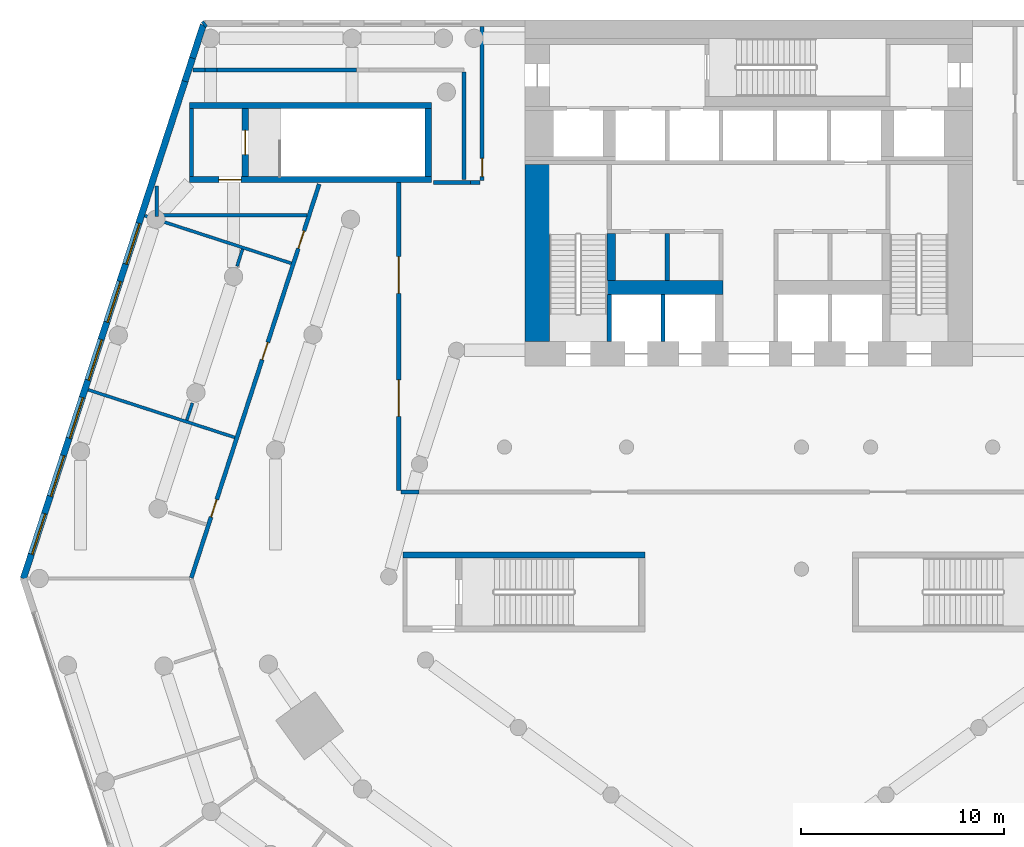
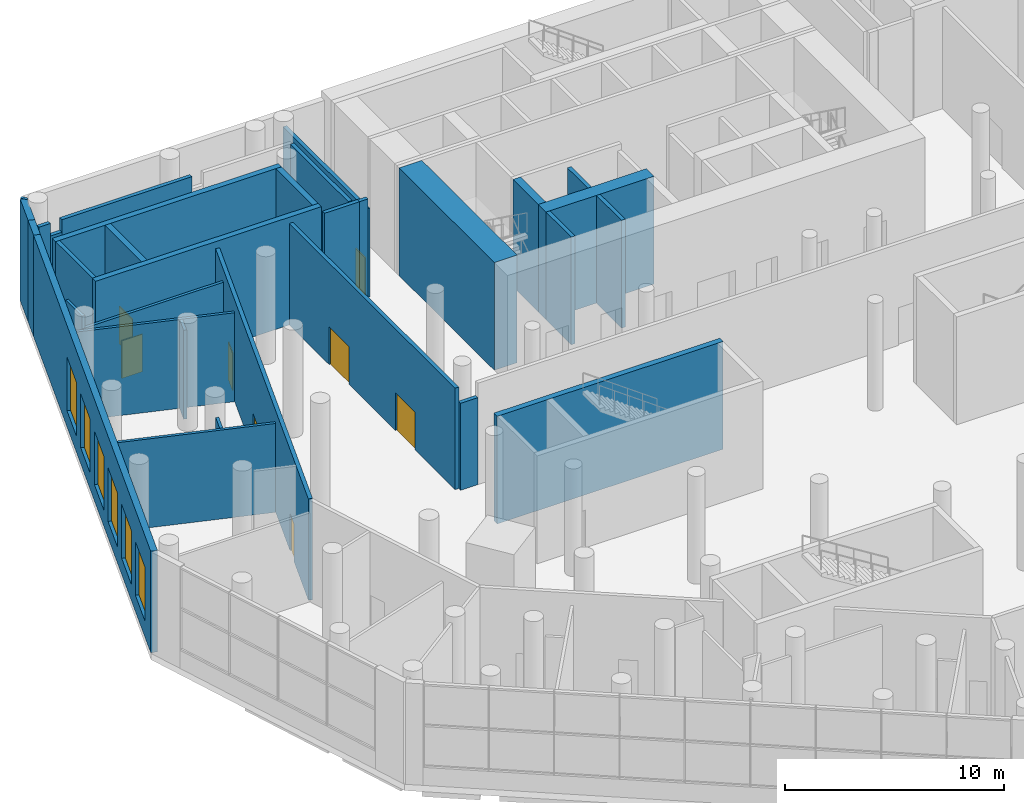
# One storey, part 12 of 19: 32 walls, 8 doors, 6 windows, 14 openings.
"""IFC4 building model written with IfcOpenShell, lengths in metres."""

from ifc_helpers import new_model, si_unit, direction, frame, frame_2d, origin, place, context, subcontext, project, spatial, rectangle, extrude, material, layer, layer_set, type_object, element, fill, save


model = new_model("IFC4")

# Units and contexts
model_context = context("Model", 3, precision=1e-05, world=origin(), true_north=direction((0.0, 1.0)))
body_context = subcontext(model_context, "Body", "Model", "MODEL_VIEW")
ifc_project = project(units=[si_unit("LENGTHUNIT", "METRE"), si_unit("AREAUNIT", "SQUARE_METRE"), si_unit("VOLUMEUNIT", "CUBIC_METRE"), si_unit("PLANEANGLEUNIT", "RADIAN"), si_unit("MASSUNIT", "GRAM", prefix="KILO")], contexts=[model_context])

# Site, building, storey
site_placement = place(None, origin())
site = spatial("IfcSite", under=ifc_project, at=site_placement, CompositionType="ELEMENT")
building_placement = place(site_placement, origin())
building = spatial("IfcBuilding", under=site, at=building_placement, Name="White Candle Pilgrim Tower", CompositionType="ELEMENT")
storey_placement = place(building_placement, frame((0.0, 0.0, 23.0)))
storey = spatial("IfcBuildingStorey", under=building, at=storey_placement, Name="L03", CompositionType="ELEMENT", Elevation=23.0)

# Walls
ifc_material_1 = material(Name="Autoclaved aerated block D500, plastered")
ifc_layer_1 = layer(ifc_material_1, 0.199951171875)
ifc_layer_set_1 = layer_set([ifc_layer_1], Name="Compartment wall 200 mm REI 240")
wall_type_1 = type_object("IfcWallType", Name="Compartment wall 200 mm REI 240", PredefinedType="PARTITIONING", material=ifc_layer_set_1)
wall_1_placement = place(storey_placement, frame((54.4990234375, 80.0, 0.0), z_axis=(0.0, 0.0, 1.0), x_axis=(1.0, 0.0, 0.0)))
element("IfcWall", 1, at=wall_1_placement, inside=storey, type_object=wall_type_1, Name="WL-L03-P012", PredefinedType="PARTITIONING", context=body_context, shape_type="SweptSolid", body=[
    extrude(rectangle(XDim=1.833984375, YDim=0.199951171875, at=frame_2d((0.9169921875, 0.0))), origin(), (0.0, 0.0, 1.0), 5.64990234375),
])
wall_2_placement = place(storey_placement, frame((53.800048828125, 64.800048828125, 0.0), z_axis=(0.0, 0.0, 1.0), x_axis=(-1.0, 0.0, 0.0)))
element("IfcWall", 2, at=wall_2_placement, inside=storey, type_object=wall_type_1, Name="WL-L03-P034b", PredefinedType="PARTITIONING", context=body_context, shape_type="SweptSolid", body=[
    extrude(rectangle(XDim=0.900146484375, YDim=0.199951171875, at=frame_2d((0.4501953125, 0.0))), origin(), (0.0, 0.0, 1.0), 4.85009765625),
])

# Wall, openings, doors
wall_3_placement = place(storey_placement, frame((52.800048828125, 64.875, 0.0), z_axis=(0.0, 0.0, 1.0), x_axis=(0.0, 1.0, 0.0)))
wall_3 = element("IfcWall", 3, at=wall_3_placement, inside=storey, type_object=wall_type_1, Name="WL-L03-P035", PredefinedType="PARTITIONING", context=body_context, shape_type="SweptSolid", body=[
    extrude(rectangle(XDim=15.125, YDim=0.199951171875, at=frame_2d((7.5625, 0.0))), origin(), (0.0, 0.0, 1.0), 5.64990234375),
])
opening_1_placement = place(wall_3_placement, frame((3.637451171875, 0.0, 0.0)))
opening_1 = element("IfcOpeningElement", 4, at=opening_1_placement, cuts=wall_3, Name="Opening L03-124", PredefinedType="OPENING", context=body_context, shape_type="SweptSolid", body=[
    extrude(rectangle(XDim=1.800048828125, YDim=2.10009765625, at=frame_2d((0.89990234375, 1.050048828125))), frame((0.0, 0.10986328125, 0.0), z_axis=(0.0, -1.0, 0.0), x_axis=(1.0, 0.0, 0.0)), (0.0, 0.0, 1.0), 0.219970703125),
])
opening_2_placement = place(wall_3_placement, frame((9.6875, 0.0, 0.0)))
opening_2 = element("IfcOpeningElement", 5, at=opening_2_placement, cuts=wall_3, Name="Opening L03-125", PredefinedType="OPENING", context=body_context, shape_type="SweptSolid", body=[
    extrude(rectangle(XDim=1.800048828125, YDim=2.10009765625, at=frame_2d((0.89990234375, 1.050048828125))), frame((0.0, 0.10986328125, 0.0), z_axis=(0.0, -1.0, 0.0), x_axis=(1.0, 0.0, 0.0)), (0.0, 0.0, 1.0), 0.219970703125),
])
ifc_material_2 = material(Name="Steel door leaf", Category="steel")
door_type_1 = type_object("IfcDoorType", Name="Compartment door 1800 x 2100 EI 60", OperationType="NOTDEFINED", PredefinedType="DOOR", material=ifc_material_2)
door_1_placement = place(opening_1_placement, origin())
door_1 = element("IfcDoor", 6, at=door_1_placement, inside=storey, type_object=door_type_1, Name="Door L03-124", OperationType="DOUBLE_DOOR_SINGLE_SWING", OverallHeight=2.10009765625, OverallWidth=1.800048828125, PredefinedType="DOOR", context=body_context, shape_type="SweptSolid", body=[
    extrude(rectangle(XDim=1.800048828125, YDim=2.10009765625, at=frame_2d((0.89990234375, 1.050048828125))), frame((0.0, 0.02490234375, 0.0), z_axis=(0.0, -1.0, 0.0), x_axis=(1.0, 0.0, 0.0)), (0.0, 0.0, 1.0), 0.050048828125),
])
fill(opening_1, door_1)
door_2_placement = place(opening_2_placement, origin())
door_2 = element("IfcDoor", 7, at=door_2_placement, inside=storey, type_object=door_type_1, Name="Door L03-125", OperationType="DOUBLE_DOOR_SINGLE_SWING", OverallHeight=2.10009765625, OverallWidth=1.800048828125, PredefinedType="DOOR", context=body_context, shape_type="SweptSolid", body=[
    extrude(rectangle(XDim=1.800048828125, YDim=2.10009765625, at=frame_2d((0.89990234375, 1.050048828125))), frame((0.0, 0.02490234375, 0.0), z_axis=(0.0, -1.0, 0.0), x_axis=(1.0, 0.0, 0.0)), (0.0, 0.0, 1.0), 0.050048828125),
])
fill(opening_2, door_2)

# Walls
wall_4_placement = place(storey_placement, frame((50.72900390625, 85.550048828125, 0.0), z_axis=(0.0, 0.0, 1.0), x_axis=(-1.0, 0.0, 0.0)))
element("IfcWall", 8, at=wall_4_placement, inside=storey, type_object=wall_type_1, Name="WL-L03-P057b", PredefinedType="PARTITIONING", context=body_context, shape_type="SweptSolid", body=[
    extrude(rectangle(XDim=6.8623046875, YDim=0.199951171875, at=frame_2d((3.43115234375, 0.0))), origin(), (0.0, 0.0, 1.0), 5.64990234375),
])
wall_5_placement = place(storey_placement, frame((43.86669921875, 85.550048828125, 0.0), z_axis=(0.0, 0.0, 1.0), x_axis=(-1.0, 0.0, 0.0)))
element("IfcWall", 9, at=wall_5_placement, inside=storey, type_object=wall_type_1, Name="WL-L03-P057c", PredefinedType="PARTITIONING", context=body_context, shape_type="SweptSolid", body=[
    extrude(rectangle(XDim=0.5966796875, YDim=0.199951171875, at=frame_2d((0.29833984375, 0.0))), origin(), (0.0, 0.0, 1.0), 4.949951171875),
])
wall_6_placement = place(storey_placement, frame((43.27001953125, 85.550048828125, 0.0), z_axis=(0.0, 0.0, 1.0), x_axis=(-1.0, 0.0, 0.0)))
element("IfcWall", 10, at=wall_6_placement, inside=storey, type_object=wall_type_1, Name="WL-L03-P057d", PredefinedType="PARTITIONING", context=body_context, shape_type="SweptSolid", body=[
    extrude(rectangle(XDim=0.596923828125, YDim=0.199951171875, at=frame_2d((0.29833984375, 0.0))), origin(), (0.0, 0.0, 1.0), 5.64990234375),
])
wall_7_placement = place(storey_placement, frame((56.0, 80.159912109375, 0.0), z_axis=(0.0, 0.0, 1.0), x_axis=(0.0, 1.0, 0.0)))
element("IfcWall", 11, at=wall_7_placement, inside=storey, type_object=wall_type_1, Name="WL-L03-P058", PredefinedType="PARTITIONING", context=body_context, shape_type="SweptSolid", body=[
    extrude(rectangle(XDim=5.2900390625, YDim=0.199951171875, at=frame_2d((2.64501953125, 0.0))), origin(), (0.0, 0.0, 1.0), 5.64990234375),
])
ifc_material_3 = material(Name="Concrete C70/85", Category="concrete")
ifc_layer_2 = layer(ifc_material_3, 0.199951171875)
ifc_layer_set_2 = layer_set([ifc_layer_2], Name="Core wall 200 mm Concrete C70/85")
wall_type_2 = type_object("IfcWallType", Name="Core wall 200 mm Concrete C70/85", PredefinedType="SHEAR", material=ifc_layer_set_2)
wall_8_placement = place(storey_placement, frame((42.60009765625, 80.300048828125, 0.0), z_axis=(0.0, 0.0, 1.0), x_axis=(0.0, 1.0, 0.0)))
element("IfcWall", 12, at=wall_8_placement, inside=storey, type_object=wall_type_2, Name="WL-L03-C44", PredefinedType="SHEAR", context=body_context, shape_type="SweptSolid", body=[
    extrude(rectangle(XDim=3.349853515625, YDim=0.199951171875, at=frame_2d((1.6748046875, 0.0))), origin(), (0.0, 0.0, 1.0), 6.0),
])
ifc_material_4 = material(Name="Gypsum board on steel studs", Category="steel")
ifc_layer_3 = layer(ifc_material_4, 0.199951171875)
ifc_layer_set_3 = layer_set([ifc_layer_3], Name="Corridor wall 200 mm EI 45")
wall_type_3 = type_object("IfcWallType", Name="Corridor wall 200 mm EI 45", PredefinedType="PARTITIONING", material=ifc_layer_set_3)
wall_9_placement = place(storey_placement, frame((56.3330078125, 80.0, 0.0), z_axis=(0.0, 0.0, 1.0), x_axis=(1.0, 0.0, 0.0)))
element("IfcWall", 13, at=wall_9_placement, inside=storey, type_object=wall_type_3, Name="WL-L03-P068", PredefinedType="PARTITIONING", context=body_context, shape_type="SweptSolid", body=[
    extrude(rectangle(XDim=0.467041015625, YDim=0.199951171875, at=frame_2d((0.2333984375, 0.0))), origin(), (0.0, 0.0, 1.0), 5.64990234375),
])

# Wall, opening, door
wall_10_placement = place(storey_placement, frame((56.89990234375, 80.10009765625, 0.0), z_axis=(0.0, 0.0, 1.0), x_axis=(0.0, 1.0, 0.0)))
wall_10 = element("IfcWall", 14, at=wall_10_placement, inside=storey, type_object=wall_type_3, Name="WL-L03-P013", PredefinedType="PARTITIONING", context=body_context, shape_type="SweptSolid", body=[
    extrude(rectangle(XDim=7.579833984375, YDim=0.199951171875, at=frame_2d((3.7900390625, 0.0))), origin(), (0.0, 0.0, 1.0), 4.949951171875),
])
opening_3_placement = place(wall_10_placement, frame((0.199951171875, 0.0, 0.0)))
opening_3 = element("IfcOpeningElement", 15, at=opening_3_placement, cuts=wall_10, Name="Opening L03-126", PredefinedType="OPENING", context=body_context, shape_type="SweptSolid", body=[
    extrude(rectangle(XDim=0.89990234375, YDim=2.10009765625, at=frame_2d((0.449951171875, 1.050048828125))), frame((0.0, 0.10986328125, 0.0), z_axis=(0.0, -1.0, 0.0), x_axis=(1.0, 0.0, 0.0)), (0.0, 0.0, 1.0), 0.219970703125),
])
door_type_2 = type_object("IfcDoorType", Name="Fire door 900 x 2100 EI 30", OperationType="NOTDEFINED", PredefinedType="DOOR", material=ifc_material_2)
door_3_placement = place(opening_3_placement, origin())
door_3 = element("IfcDoor", 16, at=door_3_placement, inside=storey, type_object=door_type_2, Name="Door L03-126", OperationType="SINGLE_SWING_RIGHT", OverallHeight=2.10009765625, OverallWidth=0.89990234375, PredefinedType="DOOR", context=body_context, shape_type="SweptSolid", body=[
    extrude(rectangle(XDim=0.89990234375, YDim=2.10009765625, at=frame_2d((0.449951171875, 1.050048828125))), frame((0.0, 0.02490234375, 0.0), z_axis=(0.0, -1.0, 0.0), x_axis=(1.0, 0.0, 0.0)), (0.0, 0.0, 1.0), 0.050048828125),
])
fill(opening_3, door_3)

# Walls
ifc_material_5 = material(Name="Precast concrete C40/50", Category="concrete")
ifc_layer_4 = layer(ifc_material_5, 0.320068359375)
ifc_layer_set_4 = layer_set([ifc_layer_4], Name="Facade wall EW3 precast concrete C40/50 and stone-faced podium wall")
wall_type_4 = type_object("IfcWallType", Name="Facade wall EW3 precast concrete C40/50 and stone-faced podium wall", PredefinedType="SOLIDWALL", material=ifc_layer_set_4)
wall_11_placement = place(storey_placement, frame((43.30322265625, 87.840087890625, 0.0), z_axis=(0.0, 0.0, 1.0), x_axis=(-0.808436541228, -0.588583349074, 0.0)))
element("IfcWall", 17, at=wall_11_placement, inside=storey, type_object=wall_type_4, Name="Facade wall L03 NW chamfer", PredefinedType="SOLIDWALL", context=body_context, shape_type="SweptSolid", body=[
    extrude(rectangle(XDim=0.14111328125, YDim=0.320068359375, at=frame_2d((0.070556640625, 0.0))), origin(), (0.0, 0.0, 1.0), 5.64990234375),
])
wall_12_placement = place(storey_placement, frame((43.189208984375, 87.757080078125, 0.0), z_axis=(0.0, 0.0, 1.0), x_axis=(-0.309044227737, -0.951047667208, 0.0)))
element("IfcWall", 18, at=wall_12_placement, inside=storey, type_object=wall_type_4, Name="Facade wall L03 WNW", PredefinedType="SOLIDWALL", context=body_context, shape_type="SweptSolid", body=[
    extrude(rectangle(XDim=1.715087890625, YDim=0.320068359375, at=frame_2d((0.857421875, 0.0))), origin(), (0.0, 0.0, 1.0), 5.64990234375),
])

# Wall, openings, windows
wall_13_placement = place(storey_placement, frame((42.288330078125, 84.984619140625, 0.0), z_axis=(0.0, 0.0, 1.0), x_axis=(-0.309017988697, -0.95105619322, 0.0)))
wall_13 = element("IfcWall", 19, at=wall_13_placement, inside=storey, type_object=wall_type_4, Name="Facade wall L03 WNW", PredefinedType="SOLIDWALL", context=body_context, shape_type="SweptSolid", body=[
    extrude(rectangle(XDim=25.70361328125, YDim=0.320068359375, at=frame_2d((12.851806640625, 0.0))), origin(), (0.0, 0.0, 1.0), 5.64990234375),
])
opening_4_placement = place(wall_13_placement, frame((7.34423828125, 0.0, 0.89990234375)))
opening_4 = element("IfcOpeningElement", 20, at=opening_4_placement, cuts=wall_13, Name="Opening W7", PredefinedType="OPENING", context=body_context, shape_type="SweptSolid", body=[
    extrude(rectangle(XDim=2.10009765625, YDim=3.0, at=frame_2d((1.050048828125, 1.5))), frame((0.0, 0.169921875, 0.0), z_axis=(0.0, -1.0, 0.0), x_axis=(1.0, 0.0, 0.0)), (0.0, 0.0, 1.0), 0.340087890625),
])
opening_5_placement = place(wall_13_placement, frame((10.34423828125, 0.0, 0.89990234375)))
opening_5 = element("IfcOpeningElement", 21, at=opening_5_placement, cuts=wall_13, Name="Opening W7", PredefinedType="OPENING", context=body_context, shape_type="SweptSolid", body=[
    extrude(rectangle(XDim=2.10009765625, YDim=3.0, at=frame_2d((1.050048828125, 1.5))), frame((0.0, 0.169921875, 0.0), z_axis=(0.0, -1.0, 0.0), x_axis=(1.0, 0.0, 0.0)), (0.0, 0.0, 1.0), 0.340087890625),
])
opening_6_placement = place(wall_13_placement, frame((13.34423828125, 0.0, 0.89990234375)))
opening_6 = element("IfcOpeningElement", 22, at=opening_6_placement, cuts=wall_13, Name="Opening W7", PredefinedType="OPENING", context=body_context, shape_type="SweptSolid", body=[
    extrude(rectangle(XDim=2.10009765625, YDim=3.0, at=frame_2d((1.050048828125, 1.5))), frame((0.0, 0.169921875, 0.0), z_axis=(0.0, -1.0, 0.0), x_axis=(1.0, 0.0, 0.0)), (0.0, 0.0, 1.0), 0.340087890625),
])
opening_7_placement = place(wall_13_placement, frame((16.34423828125, 0.0, 0.89990234375)))
opening_7 = element("IfcOpeningElement", 23, at=opening_7_placement, cuts=wall_13, Name="Opening W7", PredefinedType="OPENING", context=body_context, shape_type="SweptSolid", body=[
    extrude(rectangle(XDim=2.10009765625, YDim=3.0, at=frame_2d((1.050048828125, 1.5))), frame((0.0, 0.169921875, 0.0), z_axis=(0.0, -1.0, 0.0), x_axis=(1.0, 0.0, 0.0)), (0.0, 0.0, 1.0), 0.340087890625),
])
opening_8_placement = place(wall_13_placement, frame((19.34423828125, 0.0, 0.89990234375)))
opening_8 = element("IfcOpeningElement", 24, at=opening_8_placement, cuts=wall_13, Name="Opening W7", PredefinedType="OPENING", context=body_context, shape_type="SweptSolid", body=[
    extrude(rectangle(XDim=2.10009765625, YDim=3.0, at=frame_2d((1.050048828125, 1.5))), frame((0.0, 0.169921875, 0.0), z_axis=(0.0, -1.0, 0.0), x_axis=(1.0, 0.0, 0.0)), (0.0, 0.0, 1.0), 0.340087890625),
])
opening_9_placement = place(wall_13_placement, frame((22.34423828125, 0.0, 0.89990234375)))
opening_9 = element("IfcOpeningElement", 25, at=opening_9_placement, cuts=wall_13, Name="Opening W7", PredefinedType="OPENING", context=body_context, shape_type="SweptSolid", body=[
    extrude(rectangle(XDim=2.10009765625, YDim=3.0, at=frame_2d((1.050048828125, 1.5))), frame((0.0, 0.169921875, 0.0), z_axis=(0.0, -1.0, 0.0), x_axis=(1.0, 0.0, 0.0)), (0.0, 0.0, 1.0), 0.340087890625),
])
ifc_material_6 = material(Name="Timber frame with triple glazing", Category="wood")
window_type = type_object("IfcWindowType", Name="Window W7 2100x3000 timber frame triple glazing", PartitioningType="SINGLE_PANEL", PredefinedType="WINDOW", material=ifc_material_6)
window_1_placement = place(opening_4_placement, origin())
window_1 = element("IfcWindow", 26, at=window_1_placement, inside=storey, type_object=window_type, Name="Window W7 L03 WNW 4", OverallHeight=3.0, OverallWidth=2.10009765625, PartitioningType="SINGLE_PANEL", PredefinedType="WINDOW", context=body_context, shape_type="SweptSolid", body=[
    extrude(rectangle(XDim=2.10009765625, YDim=3.0, at=frame_2d((1.050048828125, 1.5))), frame((0.0, 0.070068359375, 0.0), z_axis=(0.0, -1.0, 0.0), x_axis=(1.0, 0.0, 0.0)), (0.0, 0.0, 1.0), 0.06005859375),
])
fill(opening_4, window_1)
window_2_placement = place(opening_5_placement, origin())
window_2 = element("IfcWindow", 27, at=window_2_placement, inside=storey, type_object=window_type, Name="Window W7 L03 WNW 5", OverallHeight=3.0, OverallWidth=2.10009765625, PartitioningType="SINGLE_PANEL", PredefinedType="WINDOW", context=body_context, shape_type="SweptSolid", body=[
    extrude(rectangle(XDim=2.10009765625, YDim=3.0, at=frame_2d((1.050048828125, 1.5))), frame((0.0, 0.070068359375, 0.0), z_axis=(0.0, -1.0, 0.0), x_axis=(1.0, 0.0, 0.0)), (0.0, 0.0, 1.0), 0.06005859375),
])
fill(opening_5, window_2)
window_3_placement = place(opening_6_placement, origin())
window_3 = element("IfcWindow", 28, at=window_3_placement, inside=storey, type_object=window_type, Name="Window W7 L03 WNW 6", OverallHeight=3.0, OverallWidth=2.10009765625, PartitioningType="SINGLE_PANEL", PredefinedType="WINDOW", context=body_context, shape_type="SweptSolid", body=[
    extrude(rectangle(XDim=2.10009765625, YDim=3.0, at=frame_2d((1.050048828125, 1.5))), frame((0.0, 0.070068359375, 0.0), z_axis=(0.0, -1.0, 0.0), x_axis=(1.0, 0.0, 0.0)), (0.0, 0.0, 1.0), 0.06005859375),
])
fill(opening_6, window_3)
window_4_placement = place(opening_7_placement, origin())
window_4 = element("IfcWindow", 29, at=window_4_placement, inside=storey, type_object=window_type, Name="Window W7 L03 WNW 7", OverallHeight=3.0, OverallWidth=2.10009765625, PartitioningType="SINGLE_PANEL", PredefinedType="WINDOW", context=body_context, shape_type="SweptSolid", body=[
    extrude(rectangle(XDim=2.10009765625, YDim=3.0, at=frame_2d((1.050048828125, 1.5))), frame((0.0, 0.070068359375, 0.0), z_axis=(0.0, -1.0, 0.0), x_axis=(1.0, 0.0, 0.0)), (0.0, 0.0, 1.0), 0.06005859375),
])
fill(opening_7, window_4)
window_5_placement = place(opening_8_placement, origin())
window_5 = element("IfcWindow", 30, at=window_5_placement, inside=storey, type_object=window_type, Name="Window W7 L03 WNW 8", OverallHeight=3.0, OverallWidth=2.10009765625, PartitioningType="SINGLE_PANEL", PredefinedType="WINDOW", context=body_context, shape_type="SweptSolid", body=[
    extrude(rectangle(XDim=2.10009765625, YDim=3.0, at=frame_2d((1.050048828125, 1.5))), frame((0.0, 0.070068359375, 0.0), z_axis=(0.0, -1.0, 0.0), x_axis=(1.0, 0.0, 0.0)), (0.0, 0.0, 1.0), 0.06005859375),
])
fill(opening_8, window_5)
window_6_placement = place(opening_9_placement, origin())
window_6 = element("IfcWindow", 31, at=window_6_placement, inside=storey, type_object=window_type, Name="Window W7 L03 WNW 9", OverallHeight=3.0, OverallWidth=2.10009765625, PartitioningType="SINGLE_PANEL", PredefinedType="WINDOW", context=body_context, shape_type="SweptSolid", body=[
    extrude(rectangle(XDim=2.10009765625, YDim=3.0, at=frame_2d((1.050048828125, 1.5))), frame((0.0, 0.070068359375, 0.0), z_axis=(0.0, -1.0, 0.0), x_axis=(1.0, 0.0, 0.0)), (0.0, 0.0, 1.0), 0.06005859375),
])
fill(opening_9, window_6)

# Wall
ifc_layer_5 = layer(ifc_material_5, 0.320068359375)
ifc_layer_set_5 = layer_set([ifc_layer_5], Name="Facade wall EW9 precast concrete C40/50 compartment junction wall EI 120")
wall_type_5 = type_object("IfcWallType", Name="Facade wall EW9 precast concrete C40/50 compartment junction wall EI 120", PredefinedType="SOLIDWALL", material=ifc_layer_set_5)
wall_14_placement = place(storey_placement, frame((42.6591796875, 86.1259765625, 0.0), z_axis=(0.0, 0.0, 1.0), x_axis=(-0.309017071679, -0.951056491178, 0.0)))
element("IfcWall", 32, at=wall_14_placement, inside=storey, type_object=wall_type_5, Name="Facade wall L03 WNW", PredefinedType="SOLIDWALL", context=body_context, shape_type="SweptSolid", body=[
    extrude(rectangle(XDim=1.2001953125, YDim=0.320068359375, at=frame_2d((0.60009765625, 0.0))), origin(), (0.0, 0.0, 1.0), 5.64990234375),
])

# Wall, openings, doors
ifc_layer_6 = layer(ifc_material_1, 0.199951171875)
ifc_layer_set_6 = layer_set([ifc_layer_6], Name="Hall enclosure wall 200 mm REI 240")
wall_type_6 = type_object("IfcWallType", Name="Hall enclosure wall 200 mm REI 240", PredefinedType="PARTITIONING", material=ifc_layer_set_6)
wall_15_placement = place(storey_placement, frame((42.59912109375, 60.570068359375, 0.0), z_axis=(0.0, 0.0, 1.0), x_axis=(0.309008514197, 0.95105927163, 0.0)))
wall_15 = element("IfcWall", 33, at=wall_15_placement, inside=storey, type_object=wall_type_6, Name="WL-L03-P011", PredefinedType="PARTITIONING", context=body_context, shape_type="SweptSolid", body=[
    extrude(rectangle(XDim=20.357177734375, YDim=0.199951171875, at=frame_2d((10.1787109375, 0.0))), origin(), (0.0, 0.0, 1.0), 5.64990234375),
])
opening_10_placement = place(wall_15_placement, frame((17.038330078125, 0.0, 0.0)))
opening_10 = element("IfcOpeningElement", 34, at=opening_10_placement, cuts=wall_15, Name="Opening L03-101", PredefinedType="OPENING", context=body_context, shape_type="SweptSolid", body=[
    extrude(rectangle(XDim=0.89990234375, YDim=2.10009765625, at=frame_2d((0.449951171875, 1.050048828125))), frame((0.0, 0.10986328125, 0.0), z_axis=(0.0, -1.0, 0.0), x_axis=(1.0, 0.0, 0.0)), (0.0, 0.0, 1.0), 0.219970703125),
])
opening_11_placement = place(wall_15_placement, frame((11.279296875, 0.0, 0.0)))
opening_11 = element("IfcOpeningElement", 35, at=opening_11_placement, cuts=wall_15, Name="Opening L03-102", PredefinedType="OPENING", context=body_context, shape_type="SweptSolid", body=[
    extrude(rectangle(XDim=0.89990234375, YDim=2.10009765625, at=frame_2d((0.449951171875, 1.050048828125))), frame((0.0, 0.10986328125, 0.0), z_axis=(0.0, -1.0, 0.0), x_axis=(1.0, 0.0, 0.0)), (0.0, 0.0, 1.0), 0.219970703125),
])
opening_12_placement = place(wall_15_placement, frame((3.1484375, 0.0, 0.0)))
opening_12 = element("IfcOpeningElement", 36, at=opening_12_placement, cuts=wall_15, Name="Opening L03-103", PredefinedType="OPENING", context=body_context, shape_type="SweptSolid", body=[
    extrude(rectangle(XDim=0.89990234375, YDim=2.10009765625, at=frame_2d((0.449951171875, 1.050048828125))), frame((0.0, 0.10986328125, 0.0), z_axis=(0.0, -1.0, 0.0), x_axis=(1.0, 0.0, 0.0)), (0.0, 0.0, 1.0), 0.219970703125),
])
door_type_3 = type_object("IfcDoorType", Name="Fire door 900 x 2100 EI 60", OperationType="NOTDEFINED", PredefinedType="DOOR", material=ifc_material_2)
door_4_placement = place(opening_10_placement, origin())
door_4 = element("IfcDoor", 37, at=door_4_placement, inside=storey, type_object=door_type_3, Name="Door L03-101", OperationType="SINGLE_SWING_LEFT", OverallHeight=2.10009765625, OverallWidth=0.89990234375, PredefinedType="DOOR", context=body_context, shape_type="SweptSolid", body=[
    extrude(rectangle(XDim=0.89990234375, YDim=2.10009765625, at=frame_2d((0.449951171875, 1.050048828125))), frame((0.0, 0.02490234375, 0.0), z_axis=(0.0, -1.0, 0.0), x_axis=(1.0, 0.0, 0.0)), (0.0, 0.0, 1.0), 0.050048828125),
])
fill(opening_10, door_4)
door_5_placement = place(opening_11_placement, origin())
door_5 = element("IfcDoor", 38, at=door_5_placement, inside=storey, type_object=door_type_3, Name="Door L03-102", OperationType="SINGLE_SWING_RIGHT", OverallHeight=2.10009765625, OverallWidth=0.89990234375, PredefinedType="DOOR", context=body_context, shape_type="SweptSolid", body=[
    extrude(rectangle(XDim=0.89990234375, YDim=2.10009765625, at=frame_2d((0.449951171875, 1.050048828125))), frame((0.0, 0.02490234375, 0.0), z_axis=(0.0, -1.0, 0.0), x_axis=(1.0, 0.0, 0.0)), (0.0, 0.0, 1.0), 0.050048828125),
])
fill(opening_11, door_5)
door_6_placement = place(opening_12_placement, origin())
door_6 = element("IfcDoor", 39, at=door_6_placement, inside=storey, type_object=door_type_3, Name="Door L03-103", OperationType="SINGLE_SWING_LEFT", OverallHeight=2.10009765625, OverallWidth=0.89990234375, PredefinedType="DOOR", context=body_context, shape_type="SweptSolid", body=[
    extrude(rectangle(XDim=0.89990234375, YDim=2.10009765625, at=frame_2d((0.449951171875, 1.050048828125))), frame((0.0, 0.02490234375, 0.0), z_axis=(0.0, -1.0, 0.0), x_axis=(1.0, 0.0, 0.0)), (0.0, 0.0, 1.0), 0.050048828125),
])
fill(opening_12, door_6)

# Walls
ifc_layer_7 = layer(ifc_material_4, 0.199951171875)
ifc_layer_set_7 = layer_set([ifc_layer_7], Name="Lobby wall 200 mm EI 60")
wall_type_7 = type_object("IfcWallType", Name="Lobby wall 200 mm EI 60", PredefinedType="PARTITIONING", material=ifc_layer_set_7)
wall_16_placement = place(storey_placement, frame((66.0, 75.199951171875, 0.0), z_axis=(0.0, 0.0, 1.0), x_axis=(0.0, 1.0, 0.0)))
element("IfcWall", 40, at=wall_16_placement, inside=storey, type_object=wall_type_7, Name="WL-L03-C33", PredefinedType="PARTITIONING", context=body_context, shape_type="SweptSolid", body=[
    extrude(rectangle(XDim=2.300048828125, YDim=0.199951171875, at=frame_2d((1.14990234375, 0.0))), origin(), (0.0, 0.0, 1.0), 5.64990234375),
])
ifc_layer_8 = layer(ifc_material_4, 0.14990234375)
ifc_layer_set_8 = layer_set([ifc_layer_8], Name="Partition 150 mm EI 60")
wall_type_8 = type_object("IfcWallType", Name="Partition 150 mm EI 60", PredefinedType="PARTITIONING", material=ifc_layer_set_8)
for number, where, z_axis, x_axis, name in (
    (41, (40.31005859375, 78.37841796875, 0.0), (0.0, 0.0, 1.0), (0.951058681979, -0.309010329007, 0.0), "WL-L03-P020"),
    (42, (37.52880859375, 69.81884765625, 0.0), (0.0, 0.0, 1.0), (0.951058681979, -0.309010329007, 0.0), "WL-L03-P021"),
):
    element("IfcWall", number, at=place(storey_placement, frame(where, z_axis=z_axis, x_axis=x_axis)), inside=storey, type_object=wall_type_8, Name=name, PredefinedType="PARTITIONING", context=body_context, shape_type="SweptSolid", body=[
        extrude(rectangle(XDim=7.580078125, YDim=0.14990234375, at=frame_2d((3.7900390625, 0.0))), origin(), (0.0, 0.0, 1.0), 4.949951171875),
    ])
wall_17_placement = place(storey_placement, frame((44.84912109375, 75.89404296875, 0.0), z_axis=(0.0, 0.0, 1.0), x_axis=(0.308936377944, 0.951082706384, 0.0)))
element("IfcWall", 43, at=wall_17_placement, inside=storey, type_object=wall_type_8, Name="WL-L03-P048", PredefinedType="PARTITIONING", context=body_context, shape_type="SweptSolid", body=[
    extrude(rectangle(XDim=0.885009765625, YDim=0.14990234375, at=frame_2d((0.4423828125, 0.0))), origin(), (0.0, 0.0, 1.0), 4.949951171875),
])
wall_18_placement = place(storey_placement, frame((42.65283203125, 69.163818359375, 0.0), z_axis=(0.0, 0.0, 1.0), x_axis=(-0.309104777097, -0.951027989481, 0.0)))
element("IfcWall", 44, at=wall_18_placement, inside=storey, type_object=wall_type_8, Name="WL-L03-P049", PredefinedType="PARTITIONING", context=body_context, shape_type="SweptSolid", body=[
    extrude(rectangle(XDim=0.885498046875, YDim=0.14990234375, at=frame_2d((0.44287109375, 0.0))), origin(), (0.0, 0.0, 1.0), 4.949951171875),
])
wall_19_placement = place(storey_placement, frame((40.89990234375, 79.83349609375, 0.0), z_axis=(0.0, 0.0, 1.0), x_axis=(0.0, -1.0, 0.0)))
element("IfcWall", 45, at=wall_19_placement, inside=storey, type_object=wall_type_8, Name="WL-L03-P055", PredefinedType="PARTITIONING", context=body_context, shape_type="SweptSolid", body=[
    extrude(rectangle(XDim=1.493408203125, YDim=0.14990234375, at=frame_2d((0.74658203125, 0.0))), origin(), (0.0, 0.0, 1.0), 5.64990234375),
])
wall_20_placement = place(storey_placement, frame((40.840087890625, 78.39990234375, 0.0), z_axis=(0.0, 0.0, 1.0), x_axis=(1.0, 0.0, 0.0)))
element("IfcWall", 46, at=wall_20_placement, inside=storey, type_object=wall_type_8, Name="WL-L03-P056", PredefinedType="PARTITIONING", context=body_context, shape_type="SweptSolid", body=[
    extrude(rectangle(XDim=7.444091796875, YDim=0.14990234375, at=frame_2d((3.72216796875, 0.0))), origin(), (0.0, 0.0, 1.0), 4.949951171875),
])
ifc_layer_9 = layer(ifc_material_3, 0.199951171875)
ifc_layer_set_9 = layer_set([ifc_layer_9], Name="Shaft wall 200 mm Concrete C70/85")
wall_type_9 = type_object("IfcWallType", Name="Shaft wall 200 mm Concrete C70/85", PredefinedType="SHEAR", material=ifc_layer_set_9)
wall_21_placement = place(storey_placement, frame((65.800048828125, 72.199951171875, 0.0), z_axis=(0.0, 0.0, 1.0), x_axis=(0.0, 1.0, 0.0)))
element("IfcWall", 47, at=wall_21_placement, inside=storey, type_object=wall_type_9, Name="WL-L03-C24", PredefinedType="SHEAR", context=body_context, shape_type="SweptSolid", body=[
    extrude(rectangle(XDim=2.300048828125, YDim=0.199951171875, at=frame_2d((1.14990234375, 0.0))), origin(), (0.0, 0.0, 1.0), 6.0),
])
ifc_layer_10 = layer(ifc_material_3, 1.199951171875)
ifc_layer_set_10 = layer_set([ifc_layer_10], Name="Stair shaft wall 1200 mm Concrete C70/85")
wall_type_10 = type_object("IfcWallType", Name="Stair shaft wall 1200 mm Concrete C70/85", PredefinedType="SHEAR", material=ifc_layer_set_10)
wall_22_placement = place(storey_placement, frame((59.60009765625, 72.199951171875, 0.0), z_axis=(0.0, 0.0, 1.0), x_axis=(0.0, 1.0, 0.0)))
element("IfcWall", 48, at=wall_22_placement, inside=storey, type_object=wall_type_10, Name="WL-L03-C22", PredefinedType="SHEAR", context=body_context, shape_type="SweptSolid", body=[
    extrude(rectangle(XDim=8.699951171875, YDim=1.199951171875, at=frame_2d((4.35009765625, 0.0))), origin(), (0.0, 0.0, 1.0), 6.0),
])
ifc_layer_11 = layer(ifc_material_3, 0.199951171875)
ifc_layer_set_11 = layer_set([ifc_layer_11], Name="Stair shaft wall 200 mm Concrete C70/85")
wall_type_11 = type_object("IfcWallType", Name="Stair shaft wall 200 mm Concrete C70/85", PredefinedType="SHEAR", material=ifc_layer_set_11)
wall_23_placement = place(storey_placement, frame((63.14990234375, 72.199951171875, 0.0), z_axis=(0.0, 0.0, 1.0), x_axis=(0.0, 1.0, 0.0)))
element("IfcWall", 49, at=wall_23_placement, inside=storey, type_object=wall_type_11, Name="WL-L03-C23", PredefinedType="SHEAR", context=body_context, shape_type="SweptSolid", body=[
    extrude(rectangle(XDim=2.300048828125, YDim=0.199951171875, at=frame_2d((1.14990234375, 0.0))), origin(), (0.0, 0.0, 1.0), 6.0),
])
ifc_layer_12 = layer(ifc_material_3, 0.300048828125)
ifc_layer_set_12 = layer_set([ifc_layer_12], Name="Stair shaft wall 300 mm Concrete C70/85")
wall_type_12 = type_object("IfcWallType", Name="Stair shaft wall 300 mm Concrete C70/85", PredefinedType="SHEAR", material=ifc_layer_set_12)
wall_24_placement = place(storey_placement, frame((53.0, 61.699951171875, 0.0), z_axis=(0.0, 0.0, 1.0), x_axis=(1.0, 0.0, 0.0)))
element("IfcWall", 50, at=wall_24_placement, inside=storey, type_object=wall_type_12, Name="WL-L03-C19", PredefinedType="SHEAR", context=body_context, shape_type="SweptSolid", body=[
    extrude(rectangle(XDim=11.89990234375, YDim=0.300048828125, at=frame_2d((5.949951171875, 0.0))), origin(), (0.0, 0.0, 1.0), 6.0),
])

# Wall, opening, door
wall_25_placement = place(storey_placement, frame((42.5, 80.14990234375, 0.0), z_axis=(0.0, 0.0, 1.0), x_axis=(1.0, 0.0, 0.0)))
wall_25 = element("IfcWall", 51, at=wall_25_placement, inside=storey, type_object=wall_type_12, Name="WL-L03-C42", PredefinedType="SHEAR", context=body_context, shape_type="SweptSolid", body=[
    extrude(rectangle(XDim=11.89990234375, YDim=0.300048828125, at=frame_2d((5.949951171875, 0.0))), origin(), (0.0, 0.0, 1.0), 6.0),
])
opening_13_placement = place(wall_25_placement, frame((1.449951171875, 0.0, 0.0)))
opening_13 = element("IfcOpeningElement", 52, at=opening_13_placement, cuts=wall_25, Name="Opening L03-015", PredefinedType="OPENING", context=body_context, shape_type="SweptSolid", body=[
    extrude(rectangle(XDim=1.10009765625, YDim=2.10009765625, at=frame_2d((0.550048828125, 1.050048828125))), frame((0.0, 0.159912109375, 0.0), z_axis=(0.0, -1.0, 0.0), x_axis=(1.0, 0.0, 0.0)), (0.0, 0.0, 1.0), 0.320068359375),
])
door_type_4 = type_object("IfcDoorType", Name="Fire door 1100 x 2100 EI 60", OperationType="NOTDEFINED", PredefinedType="DOOR", material=ifc_material_2)
door_7_placement = place(opening_13_placement, origin())
door_7 = element("IfcDoor", 53, at=door_7_placement, inside=storey, type_object=door_type_4, Name="Door L03-015", OperationType="SINGLE_SWING_LEFT", OverallHeight=2.10009765625, OverallWidth=1.10009765625, PredefinedType="DOOR", context=body_context, shape_type="SweptSolid", body=[
    extrude(rectangle(XDim=1.10009765625, YDim=2.10009765625, at=frame_2d((0.550048828125, 1.050048828125))), frame((0.0, 0.02490234375, 0.0), z_axis=(0.0, -1.0, 0.0), x_axis=(1.0, 0.0, 0.0)), (0.0, 0.0, 1.0), 0.050048828125),
])
fill(opening_13, door_7)

wall_26_placement = place(storey_placement, frame((45.25, 80.300048828125, 0.0), z_axis=(0.0, 0.0, 1.0), x_axis=(0.0, 1.0, 0.0)))
wall_26 = element("IfcWall", 54, at=wall_26_placement, inside=storey, type_object=wall_type_12, Name="WL-L03-C45", PredefinedType="SHEAR", context=body_context, shape_type="SweptSolid", body=[
    extrude(rectangle(XDim=3.349853515625, YDim=0.300048828125, at=frame_2d((1.6748046875, 0.0))), origin(), (0.0, 0.0, 1.0), 6.0),
])
opening_14_placement = place(wall_26_placement, frame((1.074951171875, 0.0, 0.0)))
opening_14 = element("IfcOpeningElement", 55, at=opening_14_placement, cuts=wall_26, Name="Opening L03-016", PredefinedType="OPENING", context=body_context, shape_type="SweptSolid", body=[
    extrude(rectangle(XDim=1.199951171875, YDim=2.10009765625, at=frame_2d((0.60009765625, 1.050048828125))), frame((0.0, 0.159912109375, 0.0), z_axis=(0.0, -1.0, 0.0), x_axis=(1.0, 0.0, 0.0)), (0.0, 0.0, 1.0), 0.320068359375),
])
door_type_5 = type_object("IfcDoorType", Name="Fire door 1200 x 2100 EI 60", OperationType="NOTDEFINED", PredefinedType="DOOR", material=ifc_material_2)
door_8_placement = place(opening_14_placement, frame((1.199951171875, 0.0, 0.0), z_axis=(0.0, 0.0, 1.0), x_axis=(-1.0, 0.0, 0.0)))
door_8 = element("IfcDoor", 56, at=door_8_placement, inside=storey, type_object=door_type_5, Name="Door L03-016", OperationType="SINGLE_SWING_LEFT", OverallHeight=2.10009765625, OverallWidth=1.199951171875, PredefinedType="DOOR", context=body_context, shape_type="SweptSolid", body=[
    extrude(rectangle(XDim=1.199951171875, YDim=2.10009765625, at=frame_2d((0.60009765625, 1.050048828125))), frame((0.0, 0.02490234375, 0.0), z_axis=(0.0, -1.0, 0.0), x_axis=(1.0, 0.0, 0.0)), (0.0, 0.0, 1.0), 0.050048828125),
])
fill(opening_14, door_8)

# Walls
wall_27_placement = place(storey_placement, frame((54.25, 80.300048828125, 0.0), z_axis=(0.0, 0.0, 1.0), x_axis=(0.0, 1.0, 0.0)))
element("IfcWall", 57, at=wall_27_placement, inside=storey, type_object=wall_type_12, Name="WL-L03-C46", PredefinedType="SHEAR", context=body_context, shape_type="SweptSolid", body=[
    extrude(rectangle(XDim=3.349853515625, YDim=0.300048828125, at=frame_2d((1.6748046875, 0.0))), origin(), (0.0, 0.0, 1.0), 6.0),
])
wall_28_placement = place(storey_placement, frame((42.5, 83.800048828125, 0.0), z_axis=(0.0, 0.0, 1.0), x_axis=(1.0, 0.0, 0.0)))
element("IfcWall", 58, at=wall_28_placement, inside=storey, type_object=wall_type_12, Name="WL-L03-C62", PredefinedType="SHEAR", context=body_context, shape_type="SweptSolid", body=[
    extrude(rectangle(XDim=11.89990234375, YDim=0.300048828125, at=frame_2d((5.949951171875, 0.0))), origin(), (0.0, 0.0, 1.0), 6.0),
])
ifc_layer_13 = layer(ifc_material_3, 0.39990234375)
ifc_layer_set_13 = layer_set([ifc_layer_13], Name="Stair shaft wall 400 mm Concrete C70/85")
wall_type_13 = type_object("IfcWallType", Name="Stair shaft wall 400 mm Concrete C70/85", PredefinedType="SHEAR", material=ifc_layer_set_13)
wall_29_placement = place(storey_placement, frame((63.25, 75.199951171875, 0.0), z_axis=(0.0, 0.0, 1.0), x_axis=(0.0, 1.0, 0.0)))
element("IfcWall", 59, at=wall_29_placement, inside=storey, type_object=wall_type_13, Name="WL-L03-C32", PredefinedType="SHEAR", context=body_context, shape_type="SweptSolid", body=[
    extrude(rectangle(XDim=2.300048828125, YDim=0.39990234375, at=frame_2d((1.14990234375, 0.0))), origin(), (0.0, 0.0, 1.0), 6.0),
])
ifc_layer_14 = layer(ifc_material_3, 0.699951171875)
ifc_layer_set_14 = layer_set([ifc_layer_14], Name="Stair shaft wall 700 mm Concrete C70/85")
wall_type_14 = type_object("IfcWallType", Name="Stair shaft wall 700 mm Concrete C70/85", PredefinedType="SHEAR", material=ifc_layer_set_14)
wall_30_placement = place(storey_placement, frame((63.050048828125, 74.85009765625, 0.0), z_axis=(0.0, 0.0, 1.0), x_axis=(1.0, 0.0, 0.0)))
element("IfcWall", 60, at=wall_30_placement, inside=storey, type_object=wall_type_14, Name="WL-L03-C30", PredefinedType="SHEAR", context=body_context, shape_type="SweptSolid", body=[
    extrude(rectangle(XDim=5.699951171875, YDim=0.699951171875, at=frame_2d((2.85009765625, 0.0))), origin(), (0.0, 0.0, 1.0), 6.0),
])

save(model, "model.ifc")
